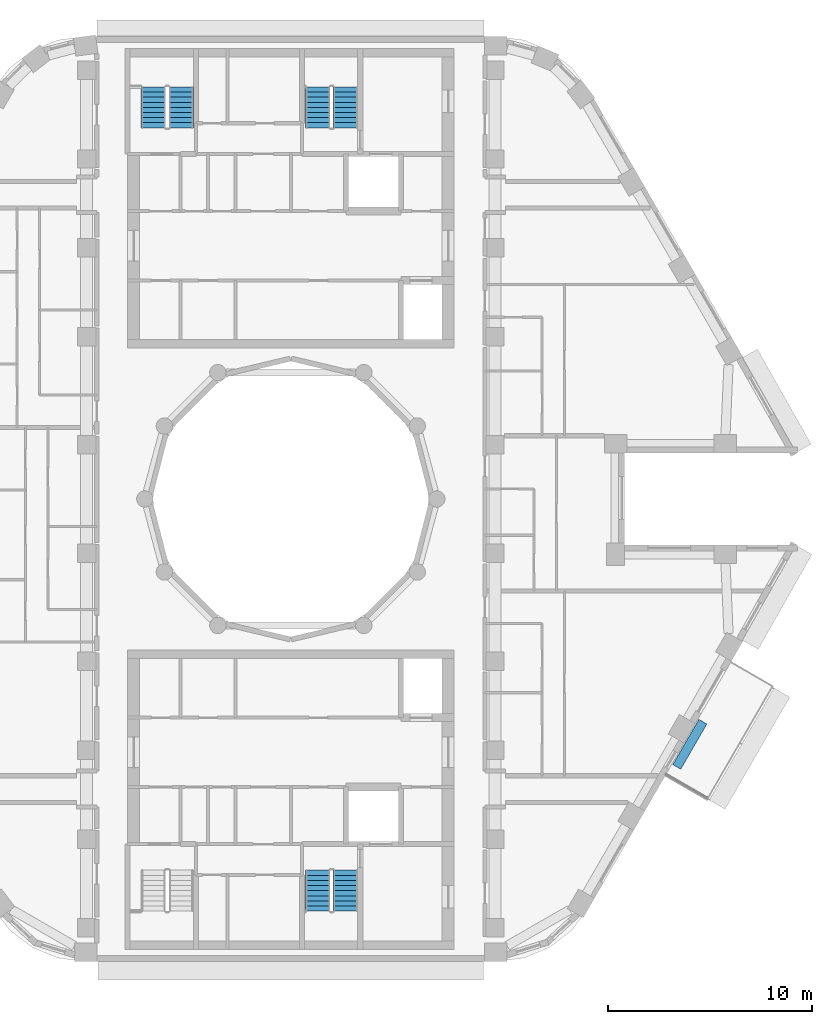
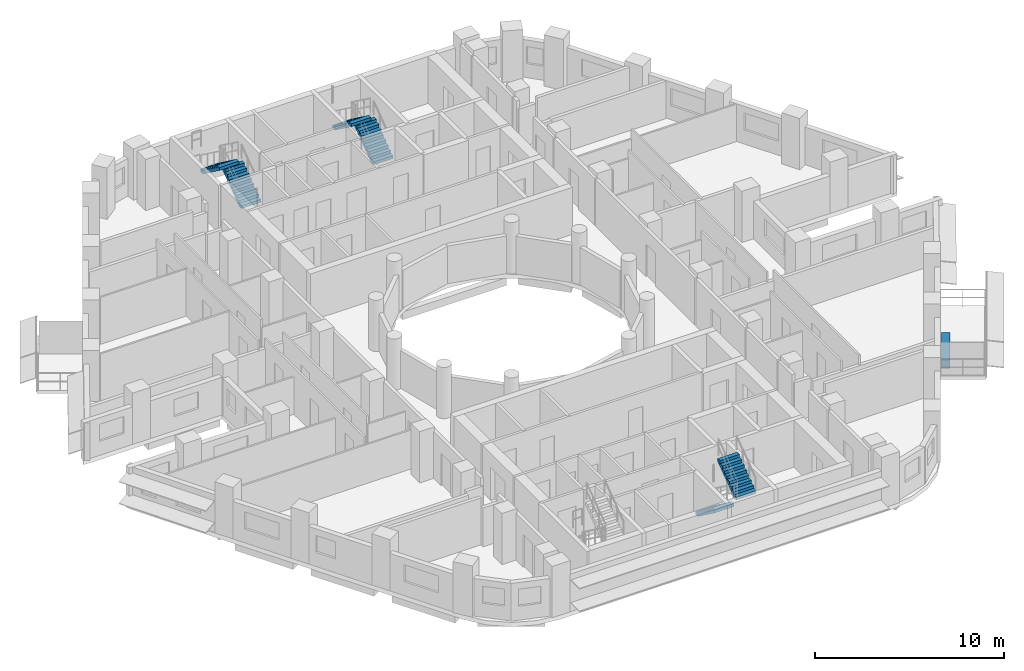
# One storey, part 9 of 14: 6 stair flights, 1 discrete accessory, 3 elements without a shape of their own.
"""IFC4 building model written with IfcOpenShell, lengths in metres."""

from ifc_helpers import new_model, si_unit, direction, frame, origin, origin_2d, place, context, subcontext, project, spatial, polyline, rectangle, outline, extrude, material, type_object, element, aggregate, save


model = new_model("IFC4")

# Units and contexts
model_context = context("Model", 3, precision=1e-05, world=origin(), true_north=direction((0.0, 1.0)))
body_context = subcontext(model_context, "Body", "Model", "MODEL_VIEW")
ifc_project = project(units=[si_unit("LENGTHUNIT", "METRE"), si_unit("AREAUNIT", "SQUARE_METRE"), si_unit("VOLUMEUNIT", "CUBIC_METRE"), si_unit("PLANEANGLEUNIT", "RADIAN"), si_unit("MASSUNIT", "GRAM", prefix="KILO")], contexts=[model_context])

# Site, building, storey
site_placement = place(None, origin())
site = spatial("IfcSite", under=ifc_project, at=site_placement, CompositionType="ELEMENT")
building_placement = place(site_placement, origin())
building = spatial("IfcBuilding", under=site, at=building_placement, Name="Nakaniwa Court", CompositionType="ELEMENT")
storey_placement = place(building_placement, frame((0.0, 0.0, 259.199951171875)))
storey = spatial("IfcBuildingStorey", under=building, at=storey_placement, Name="L68", CompositionType="ELEMENT", Elevation=259.199951171875)

# Stair, stair flights
ifc_material_1 = material(Name="Concrete C80/100", Category="concrete")
stair_type = type_object("IfcStairType", Name="Dog leg stair 1200 wide 18 risers", PredefinedType="HALF_TURN_STAIR", material=ifc_material_1)
stair_1_placement = place(storey_placement, origin())
stair_1 = element("IfcStair", 1, at=stair_1_placement, inside=storey, type_object=stair_type, Name="L68 Stair ST1", PredefinedType="HALF_TURN_STAIR")
stair_flight_type = type_object("IfcStairFlightType", Name="Stair flight 1200 wide 9 risers", PredefinedType="STRAIGHT", material=ifc_material_1)
stair_flight_1_placement = place(storey_placement, frame((74.625, 98.175048828125, 0.0), z_axis=(0.0, 0.0, 1.0), x_axis=(0.0, 1.0, 0.0)))
stair_flight_1 = element("IfcStairFlight", 2, at=stair_flight_1_placement, type_object=stair_flight_type, Name="ST1 flight 1", NumberOfRisers=9, NumberOfTreads=8, PredefinedType="STRAIGHT", RiserHeight=0.183333333, TreadLength=0.25, context=body_context, shape_type="SweptSolid", body=[
    extrude(outline(polyline([(0.0, 0.0), (0.0, 0.026123046875), (0.0, 0.052490234375), (0.0, 0.07861328125), (0.0, 0.104736328125), (0.0, 0.130859375), (0.0, 0.1572265625), (0.0, 0.183349609375), (0.25, 0.183349609375), (0.25, 0.36669921875), (0.5, 0.36669921875), (0.5, 0.550048828125), (0.75, 0.550048828125), (0.75, 0.7333984375), (1.0, 0.7333984375), (1.0, 0.916748046875), (1.25, 0.916748046875), (1.25, 1.10009765625), (1.5, 1.10009765625), (1.5, 1.283447265625), (1.75, 1.283447265625), (1.75, 1.466552734375), (2.0, 1.466552734375), (2.0, 1.64990234375), (2.0, 1.59716796875), (2.0, 1.54443359375), (2.0, 1.49169921875), (2.0, 1.43896484375), (2.0, 1.38623046875), (2.0, 1.33349609375), (2.0, 1.28076171875), (0.25341796875, 0.0), (0.0, 0.0)])), frame((0.0, 0.60009765625, 0.0), z_axis=(0.0, -1.0, 0.0), x_axis=(1.0, 0.0, 0.0)), (0.0, 0.0, 1.0), 1.199951171875),
])
stair_flight_2_placement = place(storey_placement, frame((73.27490234375, 100.175048828125, 1.650146484375), z_axis=(0.0, 0.0, 1.0), x_axis=(0.0, -1.0, 0.0)))
stair_flight_2 = element("IfcStairFlight", 3, at=stair_flight_2_placement, type_object=stair_flight_type, Name="ST1 flight 2", NumberOfRisers=9, NumberOfTreads=8, PredefinedType="STRAIGHT", RiserHeight=0.183333333, TreadLength=0.25, context=body_context, shape_type="SweptSolid", body=[
    extrude(outline(polyline([(0.0, 0.0), (0.0, 0.026123046875), (0.0, 0.052490234375), (0.0, 0.07861328125), (0.0, 0.104736328125), (0.0, 0.130859375), (0.0, 0.1572265625), (0.0, 0.183349609375), (0.25, 0.183349609375), (0.25, 0.36669921875), (0.5, 0.36669921875), (0.5, 0.550048828125), (0.75, 0.550048828125), (0.75, 0.7333984375), (1.0, 0.7333984375), (1.0, 0.916748046875), (1.25, 0.916748046875), (1.25, 1.10009765625), (1.5, 1.10009765625), (1.5, 1.283447265625), (1.75, 1.283447265625), (1.75, 1.466552734375), (2.0, 1.466552734375), (2.0, 1.64990234375), (2.0, 1.59716796875), (2.0, 1.54443359375), (2.0, 1.49169921875), (2.0, 1.43896484375), (2.0, 1.38623046875), (2.0, 1.33349609375), (2.0, 1.28076171875), (0.25341796875, 0.0), (0.0, 0.0)])), frame((0.0, 0.60009765625, 0.0), z_axis=(0.0, -1.0, 0.0), x_axis=(1.0, 0.0, 0.0)), (0.0, 0.0, 1.0), 1.199951171875),
])
aggregate(stair_1, [stair_flight_1, stair_flight_2])

stair_2_placement = place(storey_placement, origin())
stair_2 = element("IfcStair", 4, at=stair_2_placement, inside=storey, type_object=stair_type, Name="L68 Stair ST2", PredefinedType="HALF_TURN_STAIR")
stair_flight_3_placement = place(storey_placement, frame((82.675048828125, 98.175048828125, 0.0), z_axis=(0.0, 0.0, 1.0), x_axis=(0.0, 1.0, 0.0)))
stair_flight_3 = element("IfcStairFlight", 5, at=stair_flight_3_placement, type_object=stair_flight_type, Name="ST2 flight 1", NumberOfRisers=9, NumberOfTreads=8, PredefinedType="STRAIGHT", RiserHeight=0.183333333, TreadLength=0.25, context=body_context, shape_type="SweptSolid", body=[
    extrude(outline(polyline([(0.0, 0.0), (0.0, 0.026123046875), (0.0, 0.052490234375), (0.0, 0.07861328125), (0.0, 0.104736328125), (0.0, 0.130859375), (0.0, 0.1572265625), (0.0, 0.183349609375), (0.25, 0.183349609375), (0.25, 0.36669921875), (0.5, 0.36669921875), (0.5, 0.550048828125), (0.75, 0.550048828125), (0.75, 0.7333984375), (1.0, 0.7333984375), (1.0, 0.916748046875), (1.25, 0.916748046875), (1.25, 1.10009765625), (1.5, 1.10009765625), (1.5, 1.283447265625), (1.75, 1.283447265625), (1.75, 1.466552734375), (2.0, 1.466552734375), (2.0, 1.64990234375), (2.0, 1.59716796875), (2.0, 1.54443359375), (2.0, 1.49169921875), (2.0, 1.43896484375), (2.0, 1.38623046875), (2.0, 1.33349609375), (2.0, 1.28076171875), (0.25341796875, 0.0), (0.0, 0.0)])), frame((0.0, 0.60009765625, 0.0), z_axis=(0.0, -1.0, 0.0), x_axis=(1.0, 0.0, 0.0)), (0.0, 0.0, 1.0), 1.199951171875),
])
stair_flight_4_placement = place(storey_placement, frame((81.324951171875, 100.175048828125, 1.650146484375), z_axis=(0.0, 0.0, 1.0), x_axis=(0.0, -1.0, 0.0)))
stair_flight_4 = element("IfcStairFlight", 6, at=stair_flight_4_placement, type_object=stair_flight_type, Name="ST2 flight 2", NumberOfRisers=9, NumberOfTreads=8, PredefinedType="STRAIGHT", RiserHeight=0.183333333, TreadLength=0.25, context=body_context, shape_type="SweptSolid", body=[
    extrude(outline(polyline([(0.0, 0.0), (0.0, 0.026123046875), (0.0, 0.052490234375), (0.0, 0.07861328125), (0.0, 0.104736328125), (0.0, 0.130859375), (0.0, 0.1572265625), (0.0, 0.183349609375), (0.25, 0.183349609375), (0.25, 0.36669921875), (0.5, 0.36669921875), (0.5, 0.550048828125), (0.75, 0.550048828125), (0.75, 0.7333984375), (1.0, 0.7333984375), (1.0, 0.916748046875), (1.25, 0.916748046875), (1.25, 1.10009765625), (1.5, 1.10009765625), (1.5, 1.283447265625), (1.75, 1.283447265625), (1.75, 1.466552734375), (2.0, 1.466552734375), (2.0, 1.64990234375), (2.0, 1.59716796875), (2.0, 1.54443359375), (2.0, 1.49169921875), (2.0, 1.43896484375), (2.0, 1.38623046875), (2.0, 1.33349609375), (2.0, 1.28076171875), (0.25341796875, 0.0), (0.0, 0.0)])), frame((0.0, 0.60009765625, 0.0), z_axis=(0.0, -1.0, 0.0), x_axis=(1.0, 0.0, 0.0)), (0.0, 0.0, 1.0), 1.199951171875),
])
aggregate(stair_2, [stair_flight_3, stair_flight_4])

stair_3_placement = place(storey_placement, origin())
stair_3 = element("IfcStair", 7, at=stair_3_placement, inside=storey, type_object=stair_type, Name="L68 Stair ST4", PredefinedType="HALF_TURN_STAIR")
stair_flight_5_placement = place(storey_placement, frame((81.324951171875, 61.824951171875, 0.0), z_axis=(0.0, 0.0, 1.0), x_axis=(0.0, -1.0, 0.0)))
stair_flight_5 = element("IfcStairFlight", 8, at=stair_flight_5_placement, type_object=stair_flight_type, Name="ST4 flight 1", NumberOfRisers=9, NumberOfTreads=8, PredefinedType="STRAIGHT", RiserHeight=0.183333333, TreadLength=0.25, context=body_context, shape_type="SweptSolid", body=[
    extrude(outline(polyline([(0.0, 0.0), (0.0, 0.026123046875), (0.0, 0.052490234375), (0.0, 0.07861328125), (0.0, 0.104736328125), (0.0, 0.130859375), (0.0, 0.1572265625), (0.0, 0.183349609375), (0.25, 0.183349609375), (0.25, 0.36669921875), (0.5, 0.36669921875), (0.5, 0.550048828125), (0.75, 0.550048828125), (0.75, 0.7333984375), (1.0, 0.7333984375), (1.0, 0.916748046875), (1.25, 0.916748046875), (1.25, 1.10009765625), (1.5, 1.10009765625), (1.5, 1.283447265625), (1.75, 1.283447265625), (1.75, 1.466552734375), (2.0, 1.466552734375), (2.0, 1.64990234375), (2.0, 1.59716796875), (2.0, 1.54443359375), (2.0, 1.49169921875), (2.0, 1.43896484375), (2.0, 1.38623046875), (2.0, 1.33349609375), (2.0, 1.28076171875), (0.25341796875, 0.0), (0.0, 0.0)])), frame((0.0, 0.60009765625, 0.0), z_axis=(0.0, -1.0, 0.0), x_axis=(1.0, 0.0, 0.0)), (0.0, 0.0, 1.0), 1.199951171875),
])
stair_flight_6_placement = place(storey_placement, frame((82.675048828125, 59.824951171875, 1.650146484375), z_axis=(0.0, 0.0, 1.0), x_axis=(0.0, 1.0, 0.0)))
stair_flight_6 = element("IfcStairFlight", 9, at=stair_flight_6_placement, type_object=stair_flight_type, Name="ST4 flight 2", NumberOfRisers=9, NumberOfTreads=8, PredefinedType="STRAIGHT", RiserHeight=0.183333333, TreadLength=0.25, context=body_context, shape_type="SweptSolid", body=[
    extrude(outline(polyline([(0.0, 0.0), (0.0, 0.026123046875), (0.0, 0.052490234375), (0.0, 0.07861328125), (0.0, 0.104736328125), (0.0, 0.130859375), (0.0, 0.1572265625), (0.0, 0.183349609375), (0.25, 0.183349609375), (0.25, 0.36669921875), (0.5, 0.36669921875), (0.5, 0.550048828125), (0.75, 0.550048828125), (0.75, 0.7333984375), (1.0, 0.7333984375), (1.0, 0.916748046875), (1.25, 0.916748046875), (1.25, 1.10009765625), (1.5, 1.10009765625), (1.5, 1.283447265625), (1.75, 1.283447265625), (1.75, 1.466552734375), (2.0, 1.466552734375), (2.0, 1.64990234375), (2.0, 1.59716796875), (2.0, 1.54443359375), (2.0, 1.49169921875), (2.0, 1.43896484375), (2.0, 1.38623046875), (2.0, 1.33349609375), (2.0, 1.28076171875), (0.25341796875, 0.0), (0.0, 0.0)])), frame((0.0, 0.60009765625, 0.0), z_axis=(0.0, -1.0, 0.0), x_axis=(1.0, 0.0, 0.0)), (0.0, 0.0, 1.0), 1.199951171875),
])
aggregate(stair_3, [stair_flight_5, stair_flight_6])

# Discrete accessory
ifc_material_2 = material(Name="Precast concrete C40/50 planter with planted soil", Category="concrete")
discrete_accessory_type = type_object("IfcDiscreteAccessoryType", Name="Planter box charcoal concrete", PredefinedType="USERDEFINED", material=ifc_material_2)
discrete_accessory_placement = place(storey_placement, frame((99.537109375, 67.9892578125, -0.0498046875), z_axis=(0.0, 0.0, 1.0), x_axis=(0.499986396443, 0.866033257659, 0.0)))
element("IfcDiscreteAccessory", 10, at=discrete_accessory_placement, inside=storey, type_object=discrete_accessory_type, Name="L68 balcony PLANTER 02", ObjectType="PLANTER", PredefinedType="USERDEFINED", context=body_context, shape_type="SweptSolid", body=[
    extrude(rectangle(XDim=2.5595703125, YDim=0.449951171875, at=origin_2d()), origin(), (0.0, 0.0, 1.0), 0.550048828125),
])

save(model, "model.ifc")
